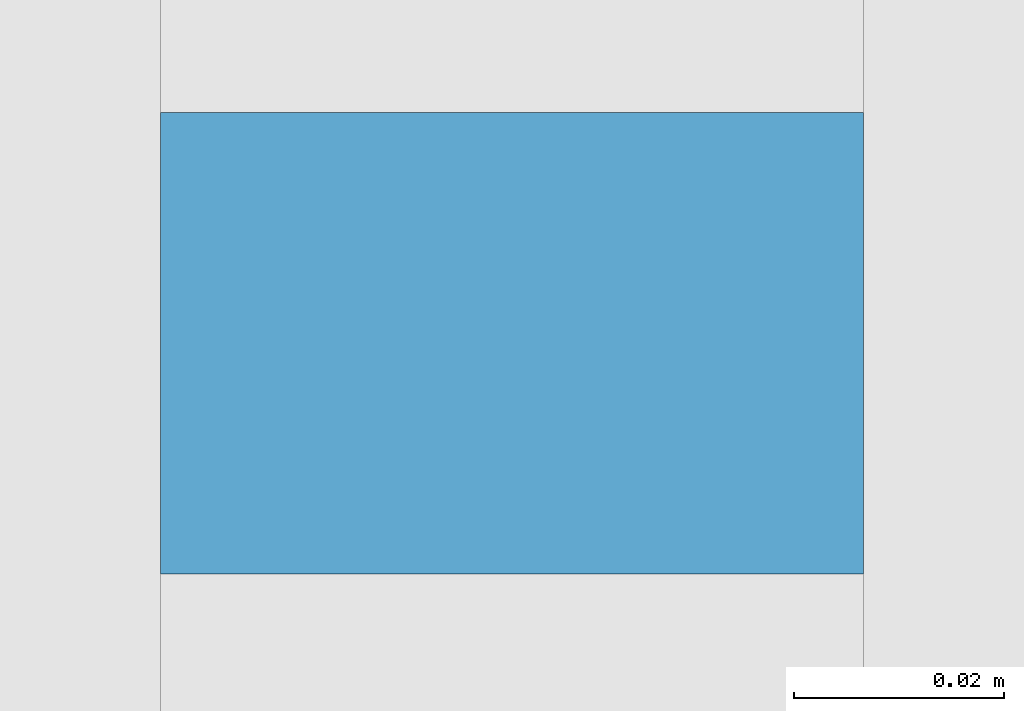
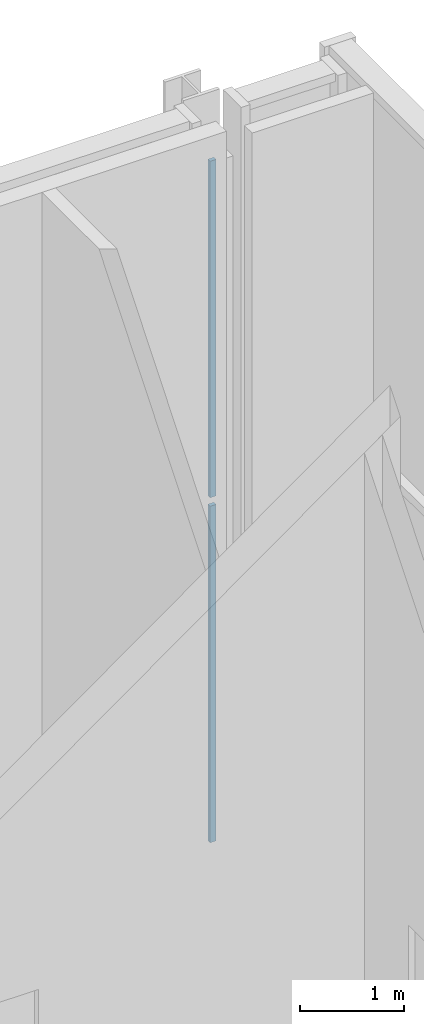
# One storey, part 11 of 15: 2 plates, 1 element without a shape of its own.
"""IFC4 building model written with IfcOpenShell, lengths in metres."""

from ifc_helpers import new_model, si_unit, direction, frame, origin, origin_2d, place, context, subcontext, project, spatial, rectangle, extrude, material, layer, layer_set, type_object, element, aggregate, save


model = new_model("IFC4")

# Units and contexts
model_context = context("Model", 3, precision=1e-05, world=origin(), true_north=direction((0.0, 1.0)))
body_context = subcontext(model_context, "Body", "Model", "MODEL_VIEW")
ifc_project = project(units=[si_unit("LENGTHUNIT", "METRE"), si_unit("AREAUNIT", "SQUARE_METRE"), si_unit("VOLUMEUNIT", "CUBIC_METRE"), si_unit("PLANEANGLEUNIT", "RADIAN"), si_unit("MASSUNIT", "GRAM", prefix="KILO")], contexts=[model_context])

# Site, building, storey
site_placement = place(None, origin())
site = spatial("IfcSite", under=ifc_project, at=site_placement, CompositionType="ELEMENT")
building_placement = place(site_placement, origin())
building = spatial("IfcBuilding", under=site, at=building_placement, Name="Immortelle Media Tower", CompositionType="ELEMENT")
storey_placement = place(building_placement, frame((0.0, 0.0, 299.0)))
storey = spatial("IfcBuildingStorey", under=building, at=storey_placement, Name="L66", CompositionType="ELEMENT", Elevation=299.0)

# Curtain wall, plates
ifc_material_1 = material(Name="Aluminium curtain wall system", Category="aluminium")
curtain_wall_type = type_object("IfcCurtainWallType", Name="Damper hall glazing curtain wall", PredefinedType="NOTDEFINED", material=ifc_material_1)
curtain_wall_placement = place(storey_placement, origin())
curtain_wall = element("IfcCurtainWall", 1, at=curtain_wall_placement, inside=storey, type_object=curtain_wall_type, Name="Damper hall glazing L66 N 14-2", PredefinedType="NOTDEFINED")
ifc_material_2 = material(Name="Warm-lit low-E double glazing", Category="glass")
ifc_layer = layer(ifc_material_2, 0.0439453125)
ifc_layer_set = layer_set([ifc_layer], Name="Warm-lit low-E double glazing")
plate_type = type_object("IfcPlateType", Name="Laminated solar control glazed panel 44 mm", PredefinedType="CURTAIN_PANEL", material=ifc_layer_set)
plate_1_placement = place(storey_placement, frame((16.0, 23.60009765625, 0.10009765625), z_axis=(0.0, 0.0, 1.0), x_axis=(-1.0, 0.0, 0.0)))
plate_1 = element("IfcPlate", 2, at=plate_1_placement, type_object=plate_type, Name="CW5 panel 1.1", PredefinedType="CURTAIN_PANEL", context=body_context, shape_type="SweptSolid", body=[
    extrude(rectangle(XDim=0.06689453125, YDim=0.0439453125, at=origin_2d()), origin(), (0.0, 0.0, 1.0), 3.956787109375),
])
plate_2_placement = place(storey_placement, frame((16.0, 23.60009765625, 4.15673828125), z_axis=(0.0, 0.0, 1.0), x_axis=(-1.0, 0.0, 0.0)))
plate_2 = element("IfcPlate", 3, at=plate_2_placement, type_object=plate_type, Name="CW5 panel 1.2", PredefinedType="CURTAIN_PANEL", context=body_context, shape_type="SweptSolid", body=[
    extrude(rectangle(XDim=0.06689453125, YDim=0.0439453125, at=origin_2d()), origin(), (0.0, 0.0, 1.0), 3.956787109375),
])
aggregate(curtain_wall, [plate_1, plate_2])

save(model, "model.ifc")
